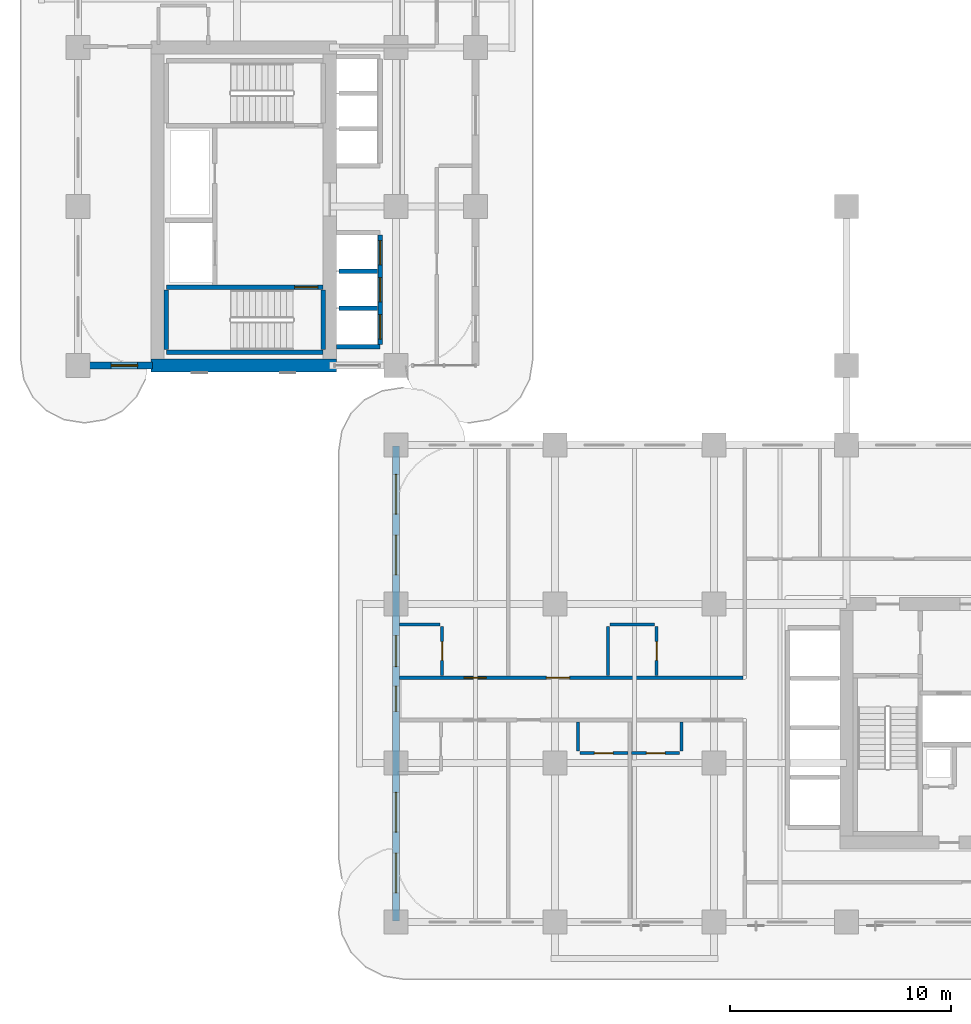
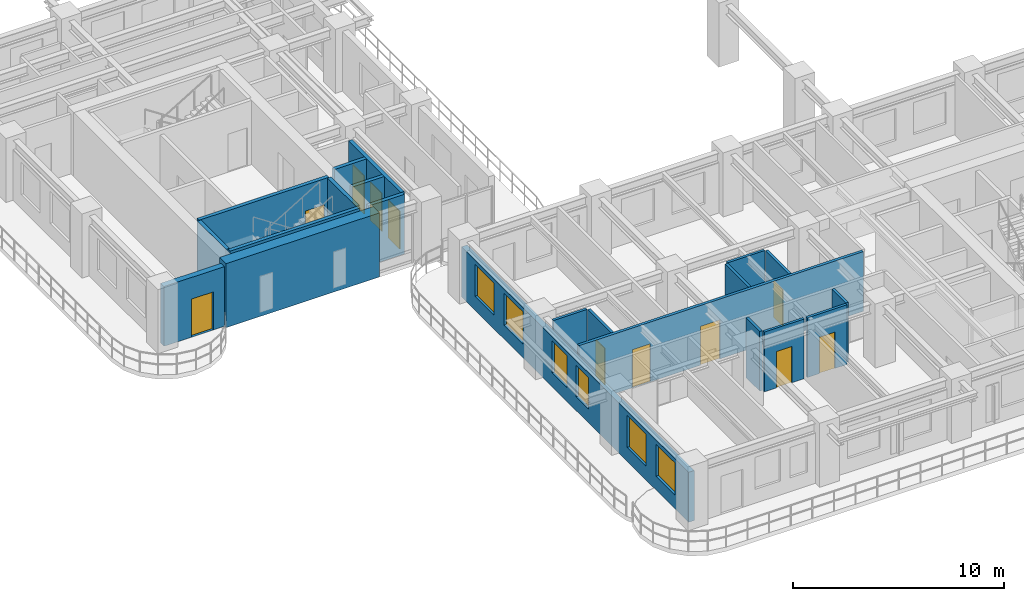
# One storey, part 7 of 19: 21 walls, 11 doors, 6 windows, 17 openings.
"""IFC4 building model written with IfcOpenShell, lengths in metres."""

from ifc_helpers import new_model, si_unit, derived_unit, direction, frame, frame_2d, origin, place, context, subcontext, project, spatial, rectangle, extrude, source, transform, mapped, material, layer, layer_set, type_object, type_shapes, element, fill, save


model = new_model("IFC4")

# Units and contexts
model_context = context("Model", 3, precision=1e-05, world=origin(), true_north=direction((0.0, 1.0)))
body_context = subcontext(model_context, "Body", "Model", "MODEL_VIEW")
ifc_project = project(units=[si_unit("LENGTHUNIT", "METRE"), si_unit("AREAUNIT", "SQUARE_METRE"), si_unit("VOLUMEUNIT", "CUBIC_METRE"), si_unit("PLANEANGLEUNIT", "RADIAN"), si_unit("MASSUNIT", "GRAM", prefix="KILO"), si_unit("THERMODYNAMICTEMPERATUREUNIT", "KELVIN"), si_unit("POWERUNIT", "WATT"), derived_unit("THERMALTRANSMITTANCEUNIT", [(si_unit("POWERUNIT", "WATT"), 1), (si_unit("AREAUNIT", "SQUARE_METRE"), -1), (si_unit("THERMODYNAMICTEMPERATUREUNIT", "KELVIN"), -1)])], contexts=[model_context])

# Site, building, storey
site_placement = place(None, origin())
site = spatial("IfcSite", under=ifc_project, at=site_placement, CompositionType="ELEMENT")
building_placement = place(site_placement, origin())
building = spatial("IfcBuilding", under=site, at=building_placement, Name="Zahravan Archway Hotel and Residences", CompositionType="ELEMENT")
storey_placement = place(building_placement, frame((0.0, 0.0, 32.39990234375)))
storey = spatial("IfcBuildingStorey", under=building, at=storey_placement, Name="L06", CompositionType="ELEMENT", Elevation=32.39990234375)

# Wall
ifc_material_1 = material(Name="Concrete C70/85", Category="concrete")
ifc_layer_1 = layer(ifc_material_1, 0.60009765625, Name="Concrete C70/85", Category="concrete")
ifc_layer_set_1 = layer_set([ifc_layer_1], Name="Concrete C70/85")
wall_type_1 = type_object("IfcWallType", Name="CW-CORE-600", PredefinedType="SHEAR", material=ifc_layer_set_1)
wall_1_placement = place(storey_placement, frame((3.300048828125, 25.199951171875, 0.0), z_axis=(0.0, 0.0, 1.0), x_axis=(1.0, 0.0, 0.0)))
element("IfcWall", 1, at=wall_1_placement, inside=storey, type_object=wall_type_1, Name="L06 Core B Shear S Wall 600 mm", PredefinedType="SHEAR", context=body_context, shape_type="SweptSolid", body=[
    extrude(rectangle(XDim=8.39990234375, YDim=0.60009765625, at=frame_2d((4.199951171875, 0.0))), origin(), (0.0, 0.0, 1.0), 3.7001953125),
])

# Wall, openings, windows
ifc_material_2 = material(Name="Agra Buff Sandstone & Insulated Backup", Category="masonry")
ifc_layer_2 = layer(ifc_material_2, 0.320068359375, Name="Agra Buff Sandstone & Insulated Backup", Category="masonry")
ifc_layer_set_2 = layer_set([ifc_layer_2], Name="Agra Buff Sandstone & Insulated Backup")
wall_type_2 = type_object("IfcWallType", Name="EW-SAND-320", PredefinedType="SOLIDWALL", material=ifc_layer_set_2)
wall_2_placement = place(storey_placement, frame((14.39990234375, 0.050048828125, 0.0), z_axis=(0.0, 0.0, 1.0), x_axis=(0.0, 1.0, 0.0)))
wall_2 = element("IfcWall", 2, at=wall_2_placement, inside=storey, type_object=wall_type_2, Name="L06 Exterior Sandstone Wall WA-W", PredefinedType="SOLIDWALL", context=body_context, shape_type="SweptSolid", body=[
    extrude(rectangle(XDim=21.5, YDim=0.320068359375, at=frame_2d((10.75, 0.0))), origin(), (0.0, 0.0, 1.0), 2.885009765625),
])
opening_1_placement = place(wall_2_placement, frame((1.27490234375, 0.0, 0.800048828125)))
opening_1 = element("IfcOpeningElement", 3, at=opening_1_placement, cuts=wall_2, Name="Opening W-02", PredefinedType="OPENING", context=body_context, shape_type="SweptSolid", body=[
    extrude(rectangle(XDim=1.800048828125, YDim=1.85009765625, at=frame_2d((0.89990234375, 0.925048828125))), frame((0.0, 0.169921875, 0.0), z_axis=(0.0, -1.0, 0.0), x_axis=(1.0, 0.0, 0.0)), (0.0, 0.0, 1.0), 0.340087890625),
])
opening_2_placement = place(wall_2_placement, frame((4.02490234375, 0.0, 0.800048828125)))
opening_2 = element("IfcOpeningElement", 4, at=opening_2_placement, cuts=wall_2, Name="Opening W-02", PredefinedType="OPENING", context=body_context, shape_type="SweptSolid", body=[
    extrude(rectangle(XDim=1.800048828125, YDim=1.85009765625, at=frame_2d((0.89990234375, 0.925048828125))), frame((0.0, 0.169921875, 0.0), z_axis=(0.0, -1.0, 0.0), x_axis=(1.0, 0.0, 0.0)), (0.0, 0.0, 1.0), 0.340087890625),
])
opening_3_placement = place(wall_2_placement, frame((9.485107421875, 0.0, 0.800048828125)))
opening_3 = element("IfcOpeningElement", 5, at=opening_3_placement, cuts=wall_2, Name="Opening W-05", PredefinedType="OPENING", context=body_context, shape_type="SweptSolid", body=[
    extrude(rectangle(XDim=1.14990234375, YDim=1.800048828125, at=frame_2d((0.574951171875, 0.89990234375))), frame((0.0, 0.169921875, 0.0), z_axis=(0.0, -1.0, 0.0), x_axis=(1.0, 0.0, 0.0)), (0.0, 0.0, 1.0), 0.340087890625),
])
opening_4_placement = place(wall_2_placement, frame((11.52001953125, 0.0, 0.800048828125)))
opening_4 = element("IfcOpeningElement", 6, at=opening_4_placement, cuts=wall_2, Name="Opening W-03", PredefinedType="OPENING", context=body_context, shape_type="SweptSolid", body=[
    extrude(rectangle(XDim=1.39990234375, YDim=1.85009765625, at=frame_2d((0.699951171875, 0.925048828125))), frame((0.0, 0.169921875, 0.0), z_axis=(0.0, -1.0, 0.0), x_axis=(1.0, 0.0, 0.0)), (0.0, 0.0, 1.0), 0.340087890625),
])
opening_5_placement = place(wall_2_placement, frame((15.675048828125, 0.0, 0.800048828125)))
opening_5 = element("IfcOpeningElement", 7, at=opening_5_placement, cuts=wall_2, Name="Opening W-02", PredefinedType="OPENING", context=body_context, shape_type="SweptSolid", body=[
    extrude(rectangle(XDim=1.800048828125, YDim=1.85009765625, at=frame_2d((0.89990234375, 0.925048828125))), frame((0.0, 0.169921875, 0.0), z_axis=(0.0, -1.0, 0.0), x_axis=(1.0, 0.0, 0.0)), (0.0, 0.0, 1.0), 0.340087890625),
])
opening_6_placement = place(wall_2_placement, frame((18.425048828125, 0.0, 0.800048828125)))
opening_6 = element("IfcOpeningElement", 8, at=opening_6_placement, cuts=wall_2, Name="Opening W-02", PredefinedType="OPENING", context=body_context, shape_type="SweptSolid", body=[
    extrude(rectangle(XDim=1.800048828125, YDim=1.85009765625, at=frame_2d((0.89990234375, 0.925048828125))), frame((0.0, 0.169921875, 0.0), z_axis=(0.0, -1.0, 0.0), x_axis=(1.0, 0.0, 0.0)), (0.0, 0.0, 1.0), 0.340087890625),
])
ifc_material_3 = material(Name="Bronze-Anodized Thermal-Break Aluminium & Low-E Glass", Category="aluminium")
window_type_1 = type_object("IfcWindowType", Name="WIN-TWR-1400", PartitioningType="SINGLE_PANEL", PredefinedType="WINDOW", material=ifc_material_3)
shared_shape_1 = source(origin(), body_context, "Body", "SweptSolid", [
    extrude(rectangle(XDim=1.39990234375, YDim=1.85009765625, at=frame_2d((0.699951171875, 0.925048828125))), frame((0.0, 0.030029296875, 0.0), z_axis=(0.0, -1.0, 0.0), x_axis=(1.0, 0.0, 0.0)), (0.0, 0.0, 1.0), 0.06005859375),
])
type_shapes(window_type_1, [shared_shape_1])
window_1_placement = place(opening_4_placement, origin())
window_1 = element("IfcWindow", 9, at=window_1_placement, inside=storey, type_object=window_type_1, Name="L06 Loggia Window 31", OverallHeight=1.85009765625, OverallWidth=1.39990234375, PartitioningType="SINGLE_PANEL", PredefinedType="WINDOW", context=body_context, shape_type="MappedRepresentation", body=[
    mapped(shared_shape_1, transform((0.0, 0.0, 0.0), scale=1.0)),
])
fill(opening_4, window_1)
window_type_2 = type_object("IfcWindowType", Name="WIN-TWR-1800", PartitioningType="DOUBLE_PANEL_VERTICAL", PredefinedType="WINDOW", material=ifc_material_3)
shared_shape_2 = source(origin(), body_context, "Body", "SweptSolid", [
    extrude(rectangle(XDim=1.800048828125, YDim=1.85009765625, at=frame_2d((0.89990234375, 0.925048828125))), frame((0.0, 0.030029296875, 0.0), z_axis=(0.0, -1.0, 0.0), x_axis=(1.0, 0.0, 0.0)), (0.0, 0.0, 1.0), 0.06005859375),
])
type_shapes(window_type_2, [shared_shape_2])
window_2_placement = place(opening_1_placement, origin())
window_2 = element("IfcWindow", 10, at=window_2_placement, inside=storey, type_object=window_type_2, Name="L06 Loggia Window 28", OverallHeight=1.85009765625, OverallWidth=1.800048828125, PartitioningType="DOUBLE_PANEL_VERTICAL", PredefinedType="WINDOW", context=body_context, shape_type="MappedRepresentation", body=[
    mapped(shared_shape_2, transform((0.0, 0.0, 0.0), scale=1.0)),
])
fill(opening_1, window_2)
window_3_placement = place(opening_2_placement, origin())
window_3 = element("IfcWindow", 11, at=window_3_placement, inside=storey, type_object=window_type_2, Name="L06 Loggia Window 29", OverallHeight=1.85009765625, OverallWidth=1.800048828125, PartitioningType="DOUBLE_PANEL_VERTICAL", PredefinedType="WINDOW", context=body_context, shape_type="MappedRepresentation", body=[
    mapped(shared_shape_2, transform((0.0, 0.0, 0.0), scale=1.0)),
])
fill(opening_2, window_3)
window_4_placement = place(opening_5_placement, origin())
window_4 = element("IfcWindow", 12, at=window_4_placement, inside=storey, type_object=window_type_2, Name="L06 Loggia Window 32", OverallHeight=1.85009765625, OverallWidth=1.800048828125, PartitioningType="DOUBLE_PANEL_VERTICAL", PredefinedType="WINDOW", context=body_context, shape_type="MappedRepresentation", body=[
    mapped(shared_shape_2, transform((0.0, 0.0, 0.0), scale=1.0)),
])
fill(opening_5, window_4)
window_5_placement = place(opening_6_placement, origin())
window_5 = element("IfcWindow", 13, at=window_5_placement, inside=storey, type_object=window_type_2, Name="L06 Loggia Window 33", OverallHeight=1.85009765625, OverallWidth=1.800048828125, PartitioningType="DOUBLE_PANEL_VERTICAL", PredefinedType="WINDOW", context=body_context, shape_type="MappedRepresentation", body=[
    mapped(shared_shape_2, transform((0.0, 0.0, 0.0), scale=1.0)),
])
fill(opening_6, window_5)
window_type_3 = type_object("IfcWindowType", Name="WIN-TWR-1150", PartitioningType="SINGLE_PANEL", PredefinedType="WINDOW", material=ifc_material_3)
shared_shape_3 = source(origin(), body_context, "Body", "SweptSolid", [
    extrude(rectangle(XDim=1.14990234375, YDim=1.800048828125, at=frame_2d((0.574951171875, 0.89990234375))), frame((0.0, 0.030029296875, 0.0), z_axis=(0.0, -1.0, 0.0), x_axis=(1.0, 0.0, 0.0)), (0.0, 0.0, 1.0), 0.06005859375),
])
type_shapes(window_type_3, [shared_shape_3])
window_6_placement = place(opening_3_placement, origin())
window_6 = element("IfcWindow", 14, at=window_6_placement, inside=storey, type_object=window_type_3, Name="L06 Loggia Window 30", OverallHeight=1.800048828125, OverallWidth=1.14990234375, PartitioningType="SINGLE_PANEL", PredefinedType="WINDOW", context=body_context, shape_type="MappedRepresentation", body=[
    mapped(shared_shape_3, transform((0.0, 0.0, 0.0), scale=1.0)),
])
fill(opening_3, window_6)

# Wall, opening, door
wall_3_placement = place(storey_placement, frame((0.0, 25.199951171875, 0.0), z_axis=(0.0, 0.0, 1.0), x_axis=(1.0, 0.0, 0.0)))
wall_3 = element("IfcWall", 15, at=wall_3_placement, inside=storey, type_object=wall_type_2, Name="L06 Exterior Sandstone Wall WB-SW", PredefinedType="SOLIDWALL", context=body_context, shape_type="SweptSolid", body=[
    extrude(rectangle(XDim=3.3798828125, YDim=0.320068359375, at=frame_2d((1.68994140625, 0.0))), origin(), (0.0, 0.0, 1.0), 3.4501953125),
])
opening_7_placement = place(wall_3_placement, frame((1.5, 0.0, 0.0)))
opening_7 = element("IfcOpeningElement", 16, at=opening_7_placement, cuts=wall_3, Name="Opening ED-BL1", PredefinedType="OPENING", context=body_context, shape_type="SweptSolid", body=[
    extrude(rectangle(XDim=1.199951171875, YDim=2.199951171875, at=frame_2d((0.60009765625, 1.10009765625))), frame((0.0, 0.169921875, 0.0), z_axis=(0.0, -1.0, 0.0), x_axis=(1.0, 0.0, 0.0)), (0.0, 0.0, 1.0), 0.340087890625),
])
ifc_material_4 = material(Name="Bronze-Anodized Glazed Aluminium", Category="aluminium")
door_type_1 = type_object("IfcDoorType", Name="ED-BALC-1200", OperationType="SLIDING_TO_LEFT", PredefinedType="DOOR", material=ifc_material_4)
shared_shape_4 = source(origin(), body_context, "Body", "SweptSolid", [
    extrude(rectangle(XDim=1.199951171875, YDim=2.199951171875, at=frame_2d((0.60009765625, 1.10009765625))), frame((0.0, 0.02490234375, 0.0), z_axis=(0.0, -1.0, 0.0), x_axis=(1.0, 0.0, 0.0)), (0.0, 0.0, 1.0), 0.050048828125),
])
type_shapes(door_type_1, [shared_shape_4])
door_1_placement = place(opening_7_placement, origin())
door_1 = element("IfcDoor", 17, at=door_1_placement, inside=storey, type_object=door_type_1, Name="L06 Outdoor Access Sliding Door (SLB-BAL-L06-WB)", OperationType="SLIDING_TO_LEFT", OverallHeight=2.199951171875, OverallWidth=1.199951171875, PredefinedType="DOOR", context=body_context, shape_type="MappedRepresentation", body=[
    mapped(shared_shape_4, transform((0.0, 0.0, 0.0), scale=1.0)),
])
fill(opening_7, door_1)

# Wall, openings, doors
ifc_material_5 = material(Name="Fire-Rated Gypsum & Concrete Block", Category="concrete")
ifc_layer_3 = layer(ifc_material_5, 0.159912109375, Name="Fire-Rated Gypsum & Concrete Block", Category="concrete")
ifc_layer_set_3 = layer_set([ifc_layer_3], Name="Fire-Rated Gypsum & Concrete Block")
wall_type_3 = type_object("IfcWallType", Name="PW-CORR-160", PredefinedType="PARTITIONING", material=ifc_layer_set_3)
wall_4_placement = place(storey_placement, frame((14.568115234375, 11.070068359375, 0.0), z_axis=(0.0, 0.0, 1.0), x_axis=(1.0, 0.0, 0.0)))
wall_4 = element("IfcWall", 18, at=wall_4_placement, inside=storey, type_object=wall_type_3, Name="L06 Partition WA-CN", PredefinedType="PARTITIONING", context=body_context, shape_type="SweptSolid", body=[
    extrude(rectangle(XDim=15.5419921875, YDim=0.159912109375, at=frame_2d((7.77099609375, 0.0))), origin(), (0.0, 0.0, 1.0), 3.4501953125),
])
opening_8_placement = place(wall_4_placement, frame((2.91796875, 0.0, 0.0)))
opening_8 = element("IfcOpeningElement", 19, at=opening_8_placement, cuts=wall_4, Name="Opening D-U2", PredefinedType="OPENING", context=body_context, shape_type="SweptSolid", body=[
    extrude(rectangle(XDim=1.0, YDim=2.199951171875, at=frame_2d((0.5, 1.10009765625))), frame((0.0, 0.08984375, 0.0), z_axis=(0.0, -1.0, 0.0), x_axis=(1.0, 0.0, 0.0)), (0.0, 0.0, 1.0), 0.179931640625),
])
opening_9_placement = place(wall_4_placement, frame((6.64697265625, 0.0, 0.0)))
opening_9 = element("IfcOpeningElement", 20, at=opening_9_placement, cuts=wall_4, Name="Opening D-U1", PredefinedType="OPENING", context=body_context, shape_type="SweptSolid", body=[
    extrude(rectangle(XDim=1.050048828125, YDim=2.25, at=frame_2d((0.52490234375, 1.125))), frame((0.0, 0.08984375, 0.0), z_axis=(0.0, -1.0, 0.0), x_axis=(1.0, 0.0, 0.0)), (0.0, 0.0, 1.0), 0.179931640625),
])
ifc_material_6 = material(Name="Hardwood Veneer Timber", Category="wood")
door_type_2 = type_object("IfcDoorType", Name="ID-UNIT-1050", OperationType="NOTDEFINED", PredefinedType="DOOR", material=ifc_material_6)
shared_shape_5 = source(origin(), body_context, "Body", "SweptSolid", [
    extrude(rectangle(XDim=1.050048828125, YDim=2.25, at=frame_2d((0.52490234375, 1.125))), frame((0.0, 0.02490234375, 0.0), z_axis=(0.0, -1.0, 0.0), x_axis=(1.0, 0.0, 0.0)), (0.0, 0.0, 1.0), 0.050048828125),
])
type_shapes(door_type_2, [shared_shape_5])
door_2_placement = place(opening_9_placement, origin())
door_2 = element("IfcDoor", 21, at=door_2_placement, inside=storey, type_object=door_type_2, Name="L06 Hotel Guestroom 42 Entrance Door", OperationType="SINGLE_SWING_LEFT", OverallHeight=2.25, OverallWidth=1.050048828125, PredefinedType="DOOR", context=body_context, shape_type="MappedRepresentation", body=[
    mapped(shared_shape_5, transform((0.0, 0.0, 0.0), scale=1.0)),
])
fill(opening_9, door_2)
door_type_3 = type_object("IfcDoorType", Name="ID-UNIT-1000", OperationType="NOTDEFINED", PredefinedType="DOOR", material=ifc_material_6)
shared_shape_6 = source(origin(), body_context, "Body", "SweptSolid", [
    extrude(rectangle(XDim=1.0, YDim=2.199951171875, at=frame_2d((0.5, 1.10009765625))), frame((0.0, 0.02490234375, 0.0), z_axis=(0.0, -1.0, 0.0), x_axis=(1.0, 0.0, 0.0)), (0.0, 0.0, 1.0), 0.050048828125),
])
type_shapes(door_type_3, [shared_shape_6])
door_3_placement = place(opening_8_placement, origin())
door_3 = element("IfcDoor", 22, at=door_3_placement, inside=storey, type_object=door_type_3, Name="L06 Hotel Guestroom 41 Entrance Door", OperationType="SINGLE_SWING_LEFT", OverallHeight=2.199951171875, OverallWidth=1.0, PredefinedType="DOOR", context=body_context, shape_type="MappedRepresentation", body=[
    mapped(shared_shape_6, transform((0.0, 0.0, 0.0), scale=1.0)),
])
fill(opening_8, door_3)

# Wall
ifc_layer_4 = layer(ifc_material_5, 0.199951171875, Name="Fire-Rated Gypsum & Concrete Block", Category="concrete")
ifc_layer_set_4 = layer_set([ifc_layer_4], Name="Fire-Rated Gypsum & Concrete Block")
wall_type_4 = type_object("IfcWallType", Name="PW-SHAFT-200", PredefinedType="PARTITIONING", material=ifc_layer_set_4)
wall_5_placement = place(storey_placement, frame((11.7099609375, 26.050048828125, 0.0), z_axis=(0.0, 0.0, 1.0), x_axis=(1.0, 0.0, 0.0)))
element("IfcWall", 23, at=wall_5_placement, inside=storey, type_object=wall_type_4, Name="L06 Partition B1-S", PredefinedType="PARTITIONING", context=body_context, shape_type="SweptSolid", body=[
    extrude(rectangle(XDim=1.9599609375, YDim=0.199951171875, at=frame_2d((0.97998046875, 0.0))), origin(), (0.0, 0.0, 1.0), 3.4501953125),
])

# Wall, openings, doors
wall_6_placement = place(storey_placement, frame((13.679931640625, 26.159912109375, 0.0), z_axis=(0.0, 0.0, 1.0), x_axis=(0.0, 1.0, 0.0)))
wall_6 = element("IfcWall", 24, at=wall_6_placement, inside=storey, type_object=wall_type_4, Name="L06 Partition B1-E", PredefinedType="PARTITIONING", context=body_context, shape_type="SweptSolid", body=[
    extrude(rectangle(XDim=4.940185546875, YDim=0.199951171875, at=frame_2d((2.47021484375, 0.0))), origin(), (0.0, 0.0, 1.0), 3.4501953125),
])
opening_10_placement = place(wall_6_placement, frame((0.239990234375, 0.0, 0.0)))
opening_10 = element("IfcOpeningElement", 25, at=opening_10_placement, cuts=wall_6, Name="Opening LD", PredefinedType="OPENING", context=body_context, shape_type="SweptSolid", body=[
    extrude(rectangle(XDim=1.10009765625, YDim=2.199951171875, at=frame_2d((0.550048828125, 1.10009765625))), frame((0.0, 0.10986328125, 0.0), z_axis=(0.0, -1.0, 0.0), x_axis=(1.0, 0.0, 0.0)), (0.0, 0.0, 1.0), 0.219970703125),
])
opening_11_placement = place(wall_6_placement, frame((1.919921875, 0.0, 0.0)))
opening_11 = element("IfcOpeningElement", 26, at=opening_11_placement, cuts=wall_6, Name="Opening LD", PredefinedType="OPENING", context=body_context, shape_type="SweptSolid", body=[
    extrude(rectangle(XDim=1.10009765625, YDim=2.199951171875, at=frame_2d((0.550048828125, 1.10009765625))), frame((0.0, 0.10986328125, 0.0), z_axis=(0.0, -1.0, 0.0), x_axis=(1.0, 0.0, 0.0)), (0.0, 0.0, 1.0), 0.219970703125),
])
opening_12_placement = place(wall_6_placement, frame((3.60009765625, 0.0, 0.0)))
opening_12 = element("IfcOpeningElement", 27, at=opening_12_placement, cuts=wall_6, Name="Opening LD", PredefinedType="OPENING", context=body_context, shape_type="SweptSolid", body=[
    extrude(rectangle(XDim=1.10009765625, YDim=2.199951171875, at=frame_2d((0.550048828125, 1.10009765625))), frame((0.0, 0.10986328125, 0.0), z_axis=(0.0, -1.0, 0.0), x_axis=(1.0, 0.0, 0.0)), (0.0, 0.0, 1.0), 0.219970703125),
])
ifc_material_7 = material(Name="Brushed Stainless Steel", Category="steel")
door_type_4 = type_object("IfcDoorType", Name="DR-LIFT-LD", OperationType="SLIDING_TO_LEFT", PredefinedType="DOOR", material=ifc_material_7)
shared_shape_7 = source(origin(), body_context, "Body", "SweptSolid", [
    extrude(rectangle(XDim=1.10009765625, YDim=2.199951171875, at=frame_2d((0.550048828125, 1.10009765625))), frame((0.0, 0.02490234375, 0.0), z_axis=(0.0, -1.0, 0.0), x_axis=(1.0, 0.0, 0.0)), (0.0, 0.0, 1.0), 0.050048828125),
])
type_shapes(door_type_4, [shared_shape_7])
door_4_placement = place(opening_10_placement, origin())
door_4 = element("IfcDoor", 28, at=door_4_placement, inside=storey, type_object=door_type_4, Name="L06 Lift LP-1 Sliding Landing Door", OperationType="SLIDING_TO_LEFT", OverallHeight=2.199951171875, OverallWidth=1.10009765625, PredefinedType="DOOR", context=body_context, shape_type="MappedRepresentation", body=[
    mapped(shared_shape_7, transform((0.0, 0.0, 0.0), scale=1.0)),
])
fill(opening_10, door_4)
door_5_placement = place(opening_11_placement, origin())
door_5 = element("IfcDoor", 29, at=door_5_placement, inside=storey, type_object=door_type_4, Name="L06 Lift LP-2 Sliding Landing Door", OperationType="SLIDING_TO_LEFT", OverallHeight=2.199951171875, OverallWidth=1.10009765625, PredefinedType="DOOR", context=body_context, shape_type="MappedRepresentation", body=[
    mapped(shared_shape_7, transform((0.0, 0.0, 0.0), scale=1.0)),
])
fill(opening_11, door_5)
door_6_placement = place(opening_12_placement, origin())
door_6 = element("IfcDoor", 30, at=door_6_placement, inside=storey, type_object=door_type_4, Name="L06 Lift LP-3 Sliding Landing Door", OperationType="SLIDING_TO_LEFT", OverallHeight=2.199951171875, OverallWidth=1.10009765625, PredefinedType="DOOR", context=body_context, shape_type="MappedRepresentation", body=[
    mapped(shared_shape_7, transform((0.0, 0.0, 0.0), scale=1.0)),
])
fill(opening_12, door_6)

# Walls
for number, where, z_axis, x_axis, name in (
    (31, (11.81005859375, 27.7900390625, 0.0), (0.0, 0.0, 1.0), (1.0, 0.0, 0.0), "L06 Partition B1-D"),
    (32, (11.81005859375, 29.469970703125, 0.0), (0.0, 0.0, 1.0), (1.0, 0.0, 0.0), "L06 Partition B1-D"),
):
    element("IfcWall", number, at=place(storey_placement, frame(where, z_axis=z_axis, x_axis=x_axis)), inside=storey, type_object=wall_type_4, Name=name, PredefinedType="PARTITIONING", context=body_context, shape_type="SweptSolid", body=[
        extrude(rectangle(XDim=1.760009765625, YDim=0.199951171875, at=frame_2d((0.8798828125, 0.0))), origin(), (0.0, 0.0, 1.0), 3.4501953125),
    ])
ifc_material_8 = material(Name="Moisture-Resistant Blockwork", Category="masonry")
ifc_layer_5 = layer(ifc_material_8, 0.139892578125, Name="Moisture-Resistant Blockwork", Category="masonry")
ifc_layer_set_5 = layer_set([ifc_layer_5], Name="Moisture-Resistant Blockwork")
wall_type_5 = type_object("IfcWallType", Name="PW-WET-140", PredefinedType="PARTITIONING", material=ifc_layer_set_5)
wall_7_placement = place(storey_placement, frame((22.635986328125, 7.739990234375, 0.0), z_axis=(0.0, 0.0, 1.0), x_axis=(0.0, 1.0, 0.0)))
element("IfcWall", 33, at=wall_7_placement, inside=storey, type_object=wall_type_5, Name="L06 Partition HKB-V2", PredefinedType="PARTITIONING", context=body_context, shape_type="SweptSolid", body=[
    extrude(rectangle(XDim=1.320068359375, YDim=0.139892578125, at=frame_2d((0.66015625, 0.0))), origin(), (0.0, 0.0, 1.0), 3.4501953125),
])

# Wall, opening, door
wall_8_placement = place(storey_placement, frame((22.72607421875, 7.64990234375, 0.0), z_axis=(0.0, 0.0, 1.0), x_axis=(1.0, 0.0, 0.0)))
wall_8 = element("IfcWall", 34, at=wall_8_placement, inside=storey, type_object=wall_type_5, Name="L06 Partition HKB-H2", PredefinedType="PARTITIONING", context=body_context, shape_type="SweptSolid", body=[
    extrude(rectangle(XDim=2.169921875, YDim=0.139892578125, at=frame_2d((1.0849609375, 0.0))), origin(), (0.0, 0.0, 1.0), 3.4501953125),
])
opening_13_placement = place(wall_8_placement, frame((0.659912109375, 0.0, 0.0)))
opening_13 = element("IfcOpeningElement", 35, at=opening_13_placement, cuts=wall_8, Name="Opening D-B1", PredefinedType="OPENING", context=body_context, shape_type="SweptSolid", body=[
    extrude(rectangle(XDim=0.85009765625, YDim=2.10009765625, at=frame_2d((0.425048828125, 1.050048828125))), frame((0.0, 0.080078125, 0.0), z_axis=(0.0, -1.0, 0.0), x_axis=(1.0, 0.0, 0.0)), (0.0, 0.0, 1.0), 0.159912109375),
])
door_type_5 = type_object("IfcDoorType", Name="ID-BATH-850", OperationType="NOTDEFINED", PredefinedType="DOOR", material=ifc_material_6)
shared_shape_8 = source(origin(), body_context, "Body", "SweptSolid", [
    extrude(rectangle(XDim=0.85009765625, YDim=2.10009765625, at=frame_2d((0.425048828125, 1.050048828125))), frame((0.0, 0.02490234375, 0.0), z_axis=(0.0, -1.0, 0.0), x_axis=(1.0, 0.0, 0.0)), (0.0, 0.0, 1.0), 0.050048828125),
])
type_shapes(door_type_5, [shared_shape_8])
door_7_placement = place(opening_13_placement, origin())
door_7 = element("IfcDoor", 36, at=door_7_placement, inside=storey, type_object=door_type_5, Name="L06 Guestroom 2 En-Suite Door", OperationType="SINGLE_SWING_RIGHT", OverallHeight=2.10009765625, OverallWidth=0.85009765625, PredefinedType="DOOR", context=body_context, shape_type="MappedRepresentation", body=[
    mapped(shared_shape_8, transform((0.0, 0.0, 0.0), scale=1.0)),
])
fill(opening_13, door_7)

# Wall
wall_9_placement = place(storey_placement, frame((27.3359375, 7.739990234375, 0.0), z_axis=(0.0, 0.0, 1.0), x_axis=(0.0, 1.0, 0.0)))
element("IfcWall", 37, at=wall_9_placement, inside=storey, type_object=wall_type_5, Name="L06 Partition HKB-V3", PredefinedType="PARTITIONING", context=body_context, shape_type="SweptSolid", body=[
    extrude(rectangle(XDim=1.320068359375, YDim=0.139892578125, at=frame_2d((0.66015625, 0.0))), origin(), (0.0, 0.0, 1.0), 3.4501953125),
])

# Wall, opening, door
wall_10_placement = place(storey_placement, frame((25.075927734375, 7.64990234375, 0.0), z_axis=(0.0, 0.0, 1.0), x_axis=(1.0, 0.0, 0.0)))
wall_10 = element("IfcWall", 38, at=wall_10_placement, inside=storey, type_object=wall_type_5, Name="L06 Partition HKB-H3", PredefinedType="PARTITIONING", context=body_context, shape_type="SweptSolid", body=[
    extrude(rectangle(XDim=2.170166015625, YDim=0.139892578125, at=frame_2d((1.0849609375, 0.0))), origin(), (0.0, 0.0, 1.0), 3.4501953125),
])
opening_14_placement = place(wall_10_placement, frame((0.659912109375, 0.0, 0.0)))
opening_14 = element("IfcOpeningElement", 39, at=opening_14_placement, cuts=wall_10, Name="Opening D-B1", PredefinedType="OPENING", context=body_context, shape_type="SweptSolid", body=[
    extrude(rectangle(XDim=0.85009765625, YDim=2.10009765625, at=frame_2d((0.425048828125, 1.050048828125))), frame((0.0, 0.080078125, 0.0), z_axis=(0.0, -1.0, 0.0), x_axis=(1.0, 0.0, 0.0)), (0.0, 0.0, 1.0), 0.159912109375),
])
door_8_placement = place(opening_14_placement, origin())
door_8 = element("IfcDoor", 40, at=door_8_placement, inside=storey, type_object=door_type_5, Name="L06 Guestroom 3 En-Suite Door", OperationType="SINGLE_SWING_RIGHT", OverallHeight=2.10009765625, OverallWidth=0.85009765625, PredefinedType="DOOR", context=body_context, shape_type="MappedRepresentation", body=[
    mapped(shared_shape_8, transform((0.0, 0.0, 0.0), scale=1.0)),
])
fill(opening_14, door_8)

wall_11_placement = place(storey_placement, frame((16.491943359375, 11.159912109375, 0.0), z_axis=(0.0, 0.0, 1.0), x_axis=(0.0, 1.0, 0.0)))
wall_11 = element("IfcWall", 41, at=wall_11_placement, inside=storey, type_object=wall_type_5, Name="L06 Partition HKB-V41", PredefinedType="PARTITIONING", context=body_context, shape_type="SweptSolid", body=[
    extrude(rectangle(XDim=2.219970703125, YDim=0.139892578125, at=frame_2d((1.10986328125, 0.0))), origin(), (0.0, 0.0, 1.0), 3.4501953125),
])
opening_15_placement = place(wall_11_placement, frame((0.68505859375, 0.0, 0.0)))
opening_15 = element("IfcOpeningElement", 42, at=opening_15_placement, cuts=wall_11, Name="Opening D-B1", PredefinedType="OPENING", context=body_context, shape_type="SweptSolid", body=[
    extrude(rectangle(XDim=0.85009765625, YDim=2.10009765625, at=frame_2d((0.425048828125, 1.050048828125))), frame((0.0, 0.080078125, 0.0), z_axis=(0.0, -1.0, 0.0), x_axis=(1.0, 0.0, 0.0)), (0.0, 0.0, 1.0), 0.159912109375),
])
door_9_placement = place(opening_15_placement, origin())
door_9 = element("IfcDoor", 43, at=door_9_placement, inside=storey, type_object=door_type_5, Name="L06 Guestroom 41 En-Suite Door", OperationType="SINGLE_SWING_RIGHT", OverallHeight=2.10009765625, OverallWidth=0.85009765625, PredefinedType="DOOR", context=body_context, shape_type="MappedRepresentation", body=[
    mapped(shared_shape_8, transform((0.0, 0.0, 0.0), scale=1.0)),
])
fill(opening_15, door_9)

# Walls
wall_12_placement = place(storey_placement, frame((14.568115234375, 13.469970703125, 0.0), z_axis=(0.0, 0.0, 1.0), x_axis=(1.0, 0.0, 0.0)))
element("IfcWall", 44, at=wall_12_placement, inside=storey, type_object=wall_type_5, Name="L06 Partition HKB-H41", PredefinedType="PARTITIONING", context=body_context, shape_type="SweptSolid", body=[
    extrude(rectangle(XDim=1.833984375, YDim=0.139892578125, at=frame_2d((0.9169921875, 0.0))), origin(), (0.0, 0.0, 1.0), 3.4501953125),
])
wall_13_placement = place(storey_placement, frame((24.0, 11.159912109375, 0.0), z_axis=(0.0, 0.0, 1.0), x_axis=(0.0, 1.0, 0.0)))
element("IfcWall", 45, at=wall_13_placement, inside=storey, type_object=wall_type_5, Name="L06 Partition HKB-VL42", PredefinedType="PARTITIONING", context=body_context, shape_type="SweptSolid", body=[
    extrude(rectangle(XDim=2.219970703125, YDim=0.139892578125, at=frame_2d((1.10986328125, 0.0))), origin(), (0.0, 0.0, 1.0), 3.4501953125),
])

# Wall, opening, door
wall_14_placement = place(storey_placement, frame((26.199951171875, 11.159912109375, 0.0), z_axis=(0.0, 0.0, 1.0), x_axis=(0.0, 1.0, 0.0)))
wall_14 = element("IfcWall", 46, at=wall_14_placement, inside=storey, type_object=wall_type_5, Name="L06 Partition HKB-VR42", PredefinedType="PARTITIONING", context=body_context, shape_type="SweptSolid", body=[
    extrude(rectangle(XDim=2.219970703125, YDim=0.139892578125, at=frame_2d((1.10986328125, 0.0))), origin(), (0.0, 0.0, 1.0), 3.4501953125),
])
opening_16_placement = place(wall_14_placement, frame((0.68505859375, 0.0, 0.0)))
opening_16 = element("IfcOpeningElement", 47, at=opening_16_placement, cuts=wall_14, Name="Opening D-B1", PredefinedType="OPENING", context=body_context, shape_type="SweptSolid", body=[
    extrude(rectangle(XDim=0.85009765625, YDim=2.10009765625, at=frame_2d((0.425048828125, 1.050048828125))), frame((0.0, 0.080078125, 0.0), z_axis=(0.0, -1.0, 0.0), x_axis=(1.0, 0.0, 0.0)), (0.0, 0.0, 1.0), 0.159912109375),
])
door_10_placement = place(opening_16_placement, origin())
door_10 = element("IfcDoor", 48, at=door_10_placement, inside=storey, type_object=door_type_5, Name="L06 Guestroom 42 En-Suite Door", OperationType="SINGLE_SWING_RIGHT", OverallHeight=2.10009765625, OverallWidth=0.85009765625, PredefinedType="DOOR", context=body_context, shape_type="MappedRepresentation", body=[
    mapped(shared_shape_8, transform((0.0, 0.0, 0.0), scale=1.0)),
])
fill(opening_16, door_10)

# Walls
wall_15_placement = place(storey_placement, frame((24.090087890625, 13.469970703125, 0.0), z_axis=(0.0, 0.0, 1.0), x_axis=(1.0, 0.0, 0.0)))
element("IfcWall", 49, at=wall_15_placement, inside=storey, type_object=wall_type_5, Name="L06 Partition HKB-H42", PredefinedType="PARTITIONING", context=body_context, shape_type="SweptSolid", body=[
    extrude(rectangle(XDim=2.02001953125, YDim=0.139892578125, at=frame_2d((1.010009765625, 0.0))), origin(), (0.0, 0.0, 1.0), 3.4501953125),
])
ifc_material_9 = material(Name="Concrete C50/60", Category="concrete")
ifc_layer_6 = layer(ifc_material_9, 0.199951171875, Name="Concrete C50/60", Category="concrete")
ifc_layer_set_6 = layer_set([ifc_layer_6], Name="Concrete C50/60")
wall_type_6 = type_object("IfcWallType", Name="SW-STAIR-200", PredefinedType="SHEAR", material=ifc_layer_set_6)
wall_16_placement = place(storey_placement, frame((4.0, 25.800048828125, 0.0), z_axis=(0.0, 0.0, 1.0), x_axis=(1.0, 0.0, 0.0)))
element("IfcWall", 50, at=wall_16_placement, inside=storey, type_object=wall_type_6, Name="L06 Stairwell RC Wall CB-SB1S", PredefinedType="SHEAR", context=body_context, shape_type="SweptSolid", body=[
    extrude(rectangle(XDim=7.10009765625, YDim=0.199951171875, at=frame_2d((3.550048828125, 0.0))), origin(), (0.0, 0.0, 1.0), 3.7001953125),
])
for number, where, z_axis, x_axis, name in (
    (51, (4.0, 25.919921875, 0.0), (0.0, 0.0, 1.0), (0.0, 1.0, 0.0), "L06 Stairwell RC Wall CB-SB1W"),
    (52, (11.10009765625, 25.919921875, 0.0), (0.0, 0.0, 1.0), (0.0, 1.0, 0.0), "L06 Stairwell RC Wall CB-SB1E"),
):
    element("IfcWall", number, at=place(storey_placement, frame(where, z_axis=z_axis, x_axis=x_axis)), inside=storey, type_object=wall_type_6, Name=name, PredefinedType="SHEAR", context=body_context, shape_type="SweptSolid", body=[
        extrude(rectangle(XDim=2.7001953125, YDim=0.199951171875, at=frame_2d((1.35009765625, 0.0))), origin(), (0.0, 0.0, 1.0), 3.7001953125),
    ])

# Wall, opening, door
wall_17_placement = place(storey_placement, frame((4.0, 28.739990234375, 0.0), z_axis=(0.0, 0.0, 1.0), x_axis=(1.0, 0.0, 0.0)))
wall_17 = element("IfcWall", 53, at=wall_17_placement, inside=storey, type_object=wall_type_6, Name="L06 Stairwell RC Wall CB-SB1N", PredefinedType="SHEAR", context=body_context, shape_type="SweptSolid", body=[
    extrude(rectangle(XDim=7.10009765625, YDim=0.199951171875, at=frame_2d((3.550048828125, 0.0))), origin(), (0.0, 0.0, 1.0), 3.7001953125),
])
opening_17_placement = place(wall_17_placement, frame((5.81494140625, 0.0, 0.0)))
opening_17 = element("IfcOpeningElement", 54, at=opening_17_placement, cuts=wall_17, Name="Opening FD-S1", PredefinedType="OPENING", context=body_context, shape_type="SweptSolid", body=[
    extrude(rectangle(XDim=1.050048828125, YDim=2.199951171875, at=frame_2d((0.52490234375, 1.10009765625))), frame((0.0, 0.10986328125, 0.0), z_axis=(0.0, -1.0, 0.0), x_axis=(1.0, 0.0, 0.0)), (0.0, 0.0, 1.0), 0.219970703125),
])
ifc_material_10 = material(Name="Fire-Rated Painted Steel", Category="steel")
door_type_6 = type_object("IfcDoorType", Name="FD-STAIR-1100", OperationType="NOTDEFINED", PredefinedType="DOOR", material=ifc_material_10)
shared_shape_9 = source(origin(), body_context, "Body", "SweptSolid", [
    extrude(rectangle(XDim=1.050048828125, YDim=2.199951171875, at=frame_2d((0.52490234375, 1.10009765625))), frame((0.0, 0.02490234375, 0.0), z_axis=(0.0, -1.0, 0.0), x_axis=(1.0, 0.0, 0.0)), (0.0, 0.0, 1.0), 0.050048828125),
])
type_shapes(door_type_6, [shared_shape_9])
door_11_placement = place(opening_17_placement, origin())
door_11 = element("IfcDoor", 55, at=door_11_placement, inside=storey, type_object=door_type_6, Name="L06 Stair ST-B1 Door", OperationType="SINGLE_SWING_LEFT", OverallHeight=2.199951171875, OverallWidth=1.050048828125, PredefinedType="DOOR", context=body_context, shape_type="MappedRepresentation", body=[
    mapped(shared_shape_9, transform((0.0, 0.0, 0.0), scale=1.0)),
])
fill(opening_17, door_11)

save(model, "model.ifc")
